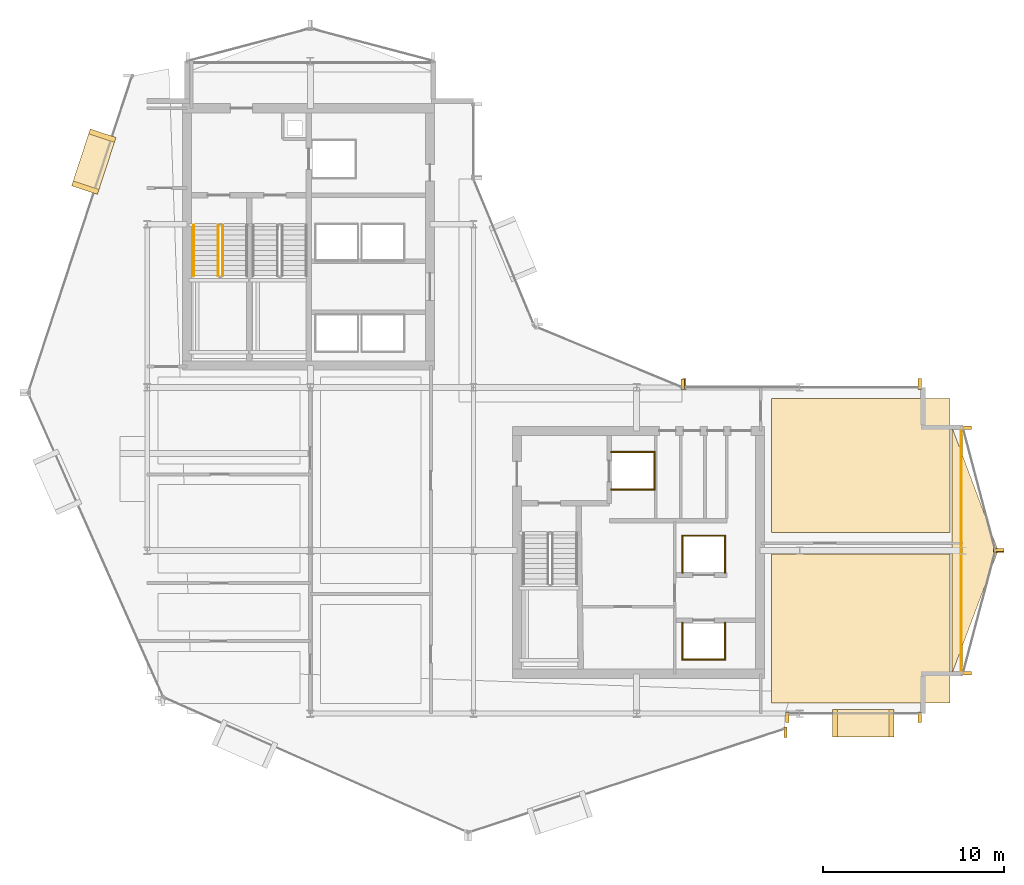
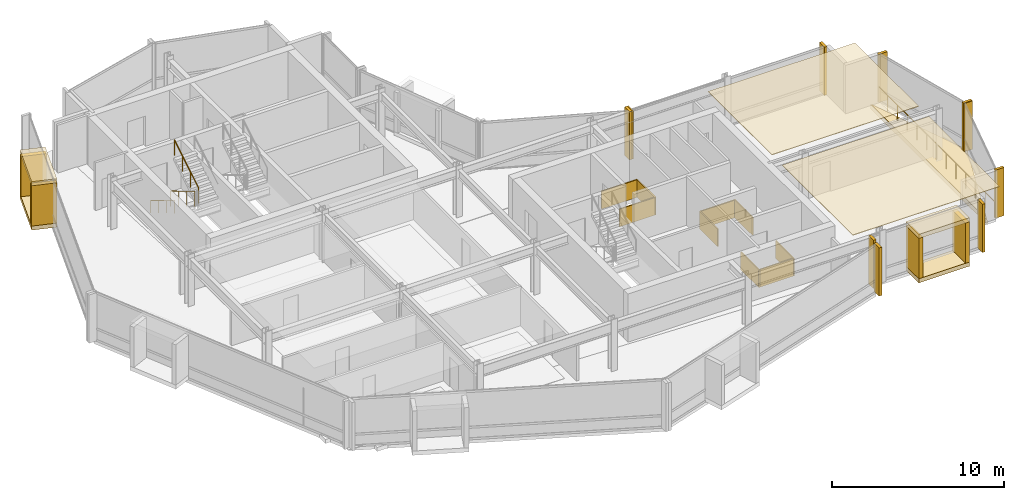
# One storey, part 26 of 27: 30 coverings, 4 railings.
"""IFC4 building model written with IfcOpenShell, lengths in metres."""

from ifc_helpers import new_model, si_unit, direction, frame, origin, origin_2d, place, context, subcontext, project, spatial, polyline, rectangle, circle, outline, extrude, material, layer, layer_set, type_object, element, save


model = new_model("IFC4")

# Units and contexts
model_context = context("Model", 3, precision=1e-05, world=origin(), true_north=direction((0.0, 1.0)))
body_context = subcontext(model_context, "Body", "Model", "MODEL_VIEW")
ifc_project = project(units=[si_unit("LENGTHUNIT", "METRE"), si_unit("AREAUNIT", "SQUARE_METRE"), si_unit("VOLUMEUNIT", "CUBIC_METRE"), si_unit("PLANEANGLEUNIT", "RADIAN"), si_unit("MASSUNIT", "GRAM", prefix="KILO")], contexts=[model_context])

# Site, building, storey
site_placement = place(None, origin())
site = spatial("IfcSite", under=ifc_project, at=site_placement, CompositionType="ELEMENT")
building_placement = place(site_placement, origin())
building = spatial("IfcBuilding", under=site, at=building_placement, Name="Solvaryn Broadcast Tower", CompositionType="ELEMENT")
storey_placement = place(building_placement, frame((0.0, 0.0, 177.89990234375)))
storey = spatial("IfcBuildingStorey", under=building, at=storey_placement, Name="L44", CompositionType="ELEMENT", Elevation=177.89990234375)

# Coverings
ifc_material_1 = material(Name="Micro-Perforated Acoustic Gypsum Ceiling", Category="concrete")
ifc_layer_1 = layer(ifc_material_1, 0.0400390625)
ifc_layer_set_1 = layer_set([ifc_layer_1], Name="CV-CEIL-ACOUSTIC")
covering_type_1 = type_object("IfcCoveringType", Name="CV-CEIL-ACOUSTIC", PredefinedType="CEILING", material=ifc_layer_set_1)
covering_1_placement = place(storey_placement, frame((0.0, 0.0, 3.380126953125)))
element("IfcCovering", 1, at=covering_1_placement, inside=storey, type_object=covering_type_1, Name="L44 Room Acoustic Ceiling 7", PredefinedType="CEILING", context=body_context, shape_type="SweptSolid", body=[
    extrude(outline(polyline([(43.449951171875, 9.60009765625), (53.300048828125, 9.60009765625), (53.300048828125, 17.800048828125), (43.449951171875, 17.800048828125), (43.449951171875, 9.60009765625)])), origin(), (0.0, 0.0, 1.0), 0.0400390625),
])
covering_2_placement = place(storey_placement, frame((0.0, 0.0, 3.380126953125)))
element("IfcCovering", 2, at=covering_2_placement, inside=storey, type_object=covering_type_1, Name="L44 Room Acoustic Ceiling 8", PredefinedType="CEILING", context=body_context, shape_type="SweptSolid", body=[
    extrude(outline(polyline([(43.449951171875, 19.0), (53.300048828125, 19.0), (53.300048828125, 26.39990234375), (43.449951171875, 26.39990234375), (43.449951171875, 19.0)])), origin(), (0.0, 0.0, 1.0), 0.0400390625),
])
ifc_material_2 = material(Name="Fire-Rated Gypsum Shaftwall Liner", Category="concrete")
ifc_layer_2 = layer(ifc_material_2, 0.080078125)
ifc_layer_set_2 = layer_set([ifc_layer_2], Name="CV-SHAFT-LINER")
covering_type_2 = type_object("IfcCoveringType", Name="CV-SHAFT-LINER", PredefinedType="CLADDING", material=ifc_layer_set_2)
for number, where, z_axis, x_axis, name in (
    (3, (35.800048828125, 23.43994140625, 0.0), (0.0, 0.0, 1.0), (1.0, 0.0, 0.0), "L44 FL2 Hoistway Shaft Liner North"),
    (4, (35.800048828125, 21.360107421875, 0.0), (0.0, 0.0, 1.0), (1.0, 0.0, 0.0), "L44 FL2 Hoistway Shaft Liner South"),
):
    element("IfcCovering", number, at=place(storey_placement, frame(where, z_axis=z_axis, x_axis=x_axis)), inside=storey, type_object=covering_type_2, Name=name, PredefinedType="CLADDING", context=body_context, shape_type="SweptSolid", body=[
        extrude(rectangle(XDim=2.4599609375, YDim=0.080078125, at=origin_2d()), origin(), (0.0, 0.0, 1.0), 1.25),
    ])
covering_3_placement = place(storey_placement, frame((36.989990234375, 22.39990234375, 0.0), z_axis=(0.0, 0.0, 1.0), x_axis=(1.0, 0.0, 0.0)))
element("IfcCovering", 5, at=covering_3_placement, inside=storey, type_object=covering_type_2, Name="L44 FL2 Hoistway Shaft Liner East", PredefinedType="CLADDING", context=body_context, shape_type="SweptSolid", body=[
    extrude(rectangle(XDim=0.080078125, YDim=2.159912109375, at=origin_2d()), origin(), (0.0, 0.0, 1.0), 1.25),
])
covering_4_placement = place(storey_placement, frame((39.699951171875, 11.985107421875, 0.0), z_axis=(0.0, 0.0, 1.0), x_axis=(1.0, 0.0, 0.0)))
element("IfcCovering", 6, at=covering_4_placement, inside=storey, type_object=covering_type_2, Name="L44 PM1 Hoistway Shaft Liner South", PredefinedType="CLADDING", context=body_context, shape_type="SweptSolid", body=[
    extrude(rectangle(XDim=2.409912109375, YDim=0.080078125, at=origin_2d()), origin(), (0.0, 0.0, 1.0), 1.25),
])
for number, where, z_axis, x_axis, name in (
    (7, (40.864990234375, 13.0, 0.0), (0.0, 0.0, 1.0), (1.0, 0.0, 0.0), "L44 PM1 Hoistway Shaft Liner East"),
    (8, (38.534912109375, 13.0, 0.0), (0.0, 0.0, 1.0), (1.0, 0.0, 0.0), "L44 PM1 Hoistway Shaft Liner West"),
):
    element("IfcCovering", number, at=place(storey_placement, frame(where, z_axis=z_axis, x_axis=x_axis)), inside=storey, type_object=covering_type_2, Name=name, PredefinedType="CLADDING", context=body_context, shape_type="SweptSolid", body=[
        extrude(rectangle(XDim=0.080078125, YDim=2.110107421875, at=origin_2d()), origin(), (0.0, 0.0, 1.0), 1.25),
    ])
covering_5_placement = place(storey_placement, frame((39.699951171875, 18.81494140625, 0.0), z_axis=(0.0, 0.0, 1.0), x_axis=(1.0, 0.0, 0.0)))
element("IfcCovering", 9, at=covering_5_placement, inside=storey, type_object=covering_type_2, Name="L44 PM2 Hoistway Shaft Liner North", PredefinedType="CLADDING", context=body_context, shape_type="SweptSolid", body=[
    extrude(rectangle(XDim=2.409912109375, YDim=0.080078125, at=origin_2d()), origin(), (0.0, 0.0, 1.0), 1.25),
])
for number, where, z_axis, x_axis, name in (
    (10, (40.864990234375, 17.800048828125, 0.0), (0.0, 0.0, 1.0), (1.0, 0.0, 0.0), "L44 PM2 Hoistway Shaft Liner East"),
    (11, (38.534912109375, 17.800048828125, 0.0), (0.0, 0.0, 1.0), (1.0, 0.0, 0.0), "L44 PM2 Hoistway Shaft Liner West"),
):
    element("IfcCovering", number, at=place(storey_placement, frame(where, z_axis=z_axis, x_axis=x_axis)), inside=storey, type_object=covering_type_2, Name=name, PredefinedType="CLADDING", context=body_context, shape_type="SweptSolid", body=[
        extrude(rectangle(XDim=0.080078125, YDim=2.110107421875, at=origin_2d()), origin(), (0.0, 0.0, 1.0), 1.25),
    ])
ifc_material_3 = material(Name="Glazed Architectural Terracotta Rainscreen Cladding", Category="masonry")
ifc_layer_3 = layer(ifc_material_3, 0.280029296875)
ifc_layer_set_3 = layer_set([ifc_layer_3], Name="CV-TC-CLAD")
covering_type_3 = type_object("IfcCoveringType", Name="CV-TC-CLAD", PredefinedType="CLADDING", material=ifc_layer_set_3)
for number, where, z_axis, x_axis, name in (
    (12, (6.054931640625, 39.4541015625, 3.1298828125), (0.0, 0.0, 1.0), (-0.311505792684, -0.950244253402, 0.0), "L44 Projecting Stone Window Box Hood 1"),
    (13, (6.054931640625, 39.4541015625, -0.009765625), (0.0, 0.0, 1.0), (-0.311505792684, -0.950244253402, 0.0), "L44 Projecting Stone Window Box Sill 1"),
):
    element("IfcCovering", number, at=place(storey_placement, frame(where, z_axis=z_axis, x_axis=x_axis)), inside=storey, type_object=covering_type_3, Name=name, PredefinedType="CLADDING", context=body_context, shape_type="SweptSolid", body=[
        extrude(rectangle(XDim=3.300048828125, YDim=1.5, at=origin_2d()), origin(), (0.0, 0.0, 1.0), 0.300048828125),
    ])
for number, where, z_axis, x_axis, name in (
    (14, (6.525390625, 40.888916015625, 0.2802734375), (0.0, 0.0, 1.0), (-0.311505792684, -0.950244253402, 0.0), "L44 Projecting Stone Window Box Cheek 1-1"),
    (15, (5.584716796875, 38.01904296875, 0.2802734375), (0.0, 0.0, 1.0), (-0.311505792684, -0.950244253402, 0.0), "L44 Projecting Stone Window Box Cheek 1-2"),
):
    element("IfcCovering", number, at=place(storey_placement, frame(where, z_axis=z_axis, x_axis=x_axis)), inside=storey, type_object=covering_type_3, Name=name, PredefinedType="CLADDING", context=body_context, shape_type="SweptSolid", body=[
        extrude(rectangle(XDim=0.280029296875, YDim=1.5, at=origin_2d()), origin(), (0.0, 0.0, 1.0), 2.860107421875),
    ])
for number, where, z_axis, x_axis, name in (
    (16, (48.5, 8.469970703125, 3.1298828125), (0.0, 0.0, 1.0), (1.0, 0.0, 0.0), "L44 Projecting Stone Window Box Hood 6"),
    (17, (48.5, 8.469970703125, -0.009765625), (0.0, 0.0, 1.0), (1.0, 0.0, 0.0), "L44 Projecting Stone Window Box Sill 6"),
):
    element("IfcCovering", number, at=place(storey_placement, frame(where, z_axis=z_axis, x_axis=x_axis)), inside=storey, type_object=covering_type_3, Name=name, PredefinedType="CLADDING", context=body_context, shape_type="SweptSolid", body=[
        extrude(rectangle(XDim=3.39990234375, YDim=1.5, at=origin_2d()), origin(), (0.0, 0.0, 1.0), 0.300048828125),
    ])
for number, where, z_axis, x_axis, name in (
    (18, (46.93994140625, 8.469970703125, 0.2802734375), (0.0, 0.0, 1.0), (1.0, 0.0, 0.0), "L44 Projecting Stone Window Box Cheek 6-1"),
    (19, (50.06005859375, 8.469970703125, 0.2802734375), (0.0, 0.0, 1.0), (1.0, 0.0, 0.0), "L44 Projecting Stone Window Box Cheek 6-2"),
):
    element("IfcCovering", number, at=place(storey_placement, frame(where, z_axis=z_axis, x_axis=x_axis)), inside=storey, type_object=covering_type_3, Name=name, PredefinedType="CLADDING", context=body_context, shape_type="SweptSolid", body=[
        extrude(rectangle(XDim=0.280029296875, YDim=1.5, at=origin_2d()), origin(), (0.0, 0.0, 1.0), 2.860107421875),
    ])
ifc_material_4 = material(Name="Extruded Architectural Terracotta Fin", Category="masonry")
ifc_layer_4 = layer(ifc_material_4, 0.179931640625)
ifc_layer_set_4 = layer_set([ifc_layer_4], Name="CV-TC-FIN")
covering_type_4 = type_object("IfcCoveringType", Name="CV-TC-FIN", PredefinedType="USERDEFINED", material=ifc_layer_set_4)
for number, where, z_axis, x_axis, name in (
    (20, (44.209716796875, 7.982666015625, 0.000244140625), (0.0, 0.0, 1.0), (1.0, 0.0, 0.0), "L44 Terracotta Vertical Fin FIN-L44-DR4-M01"),
    (21, (38.541259765625, 27.177978515625, 0.000244140625), (0.0, 0.0, 1.0), (1.0, 0.0, 0.0), "L44 Terracotta Vertical Fin FIN-L44-CN1-M00"),
    (22, (44.31201171875, 8.8125, 0.000244140625), (0.0, 0.0, 1.0), (1.0, 0.0, 0.0), "L44 Terracotta Vertical Fin FIN-L44-S2-M00"),
    (23, (51.6201171875, 8.8125, 0.000244140625), (0.0, 0.0, 1.0), (1.0, 0.0, 0.0), "L44 Terracotta Vertical Fin FIN-L44-S2-M01"),
):
    element("IfcCovering", number, at=place(storey_placement, frame(where, z_axis=z_axis, x_axis=x_axis)), inside=storey, type_object=covering_type_4, Name=name, ObjectType="FIN", PredefinedType="USERDEFINED", context=body_context, shape_type="SweptSolid", body=[
        extrude(rectangle(XDim=0.179931640625, YDim=0.580078125, at=origin_2d()), origin(), (0.0, 0.0, 1.0), 3.419921875),
    ])
for number, where, z_axis, x_axis, name in (
    (24, (54.1953125, 24.77099609375, 0.000244140625), (0.0, 0.0, 1.0), (1.0, 0.0, 0.0), "L44 Terracotta Vertical Fin FIN-L44-ET1-M00"),
    (25, (55.979736328125, 18.029052734375, 0.000244140625), (0.0, 0.0, 1.0), (1.0, 0.0, 0.0), "L44 Terracotta Vertical Fin FIN-L44-ET1-M01"),
    (26, (55.979736328125, 17.970947265625, 0.000244140625), (0.0, 0.0, 1.0), (1.0, 0.0, 0.0), "L44 Terracotta Vertical Fin FIN-L44-ET2-M00"),
    (27, (54.1953125, 11.22900390625, 0.000244140625), (0.0, 0.0, 1.0), (1.0, 0.0, 0.0), "L44 Terracotta Vertical Fin FIN-L44-ET2-M01"),
):
    element("IfcCovering", number, at=place(storey_placement, frame(where, z_axis=z_axis, x_axis=x_axis)), inside=storey, type_object=covering_type_4, Name=name, ObjectType="FIN", PredefinedType="USERDEFINED", context=body_context, shape_type="SweptSolid", body=[
        extrude(rectangle(XDim=0.580078125, YDim=0.179931640625, at=origin_2d()), origin(), (0.0, 0.0, 1.0), 3.419921875),
    ])
for number, where, z_axis, x_axis, name in (
    (28, (38.6298828125, 27.1875, 0.000244140625), (0.0, 0.0, 1.0), (1.0, 0.0, 0.0), "L44 Terracotta Vertical Fin FIN-L44-IH-M00"),
    (29, (51.6201171875, 27.1875, 0.000244140625), (0.0, 0.0, 1.0), (1.0, 0.0, 0.0), "L44 Terracotta Vertical Fin FIN-L44-IH-M01"),
):
    element("IfcCovering", number, at=place(storey_placement, frame(where, z_axis=z_axis, x_axis=x_axis)), inside=storey, type_object=covering_type_4, Name=name, ObjectType="FIN", PredefinedType="USERDEFINED", context=body_context, shape_type="SweptSolid", body=[
        extrude(rectangle(XDim=0.179931640625, YDim=0.580078125, at=origin_2d()), origin(), (0.0, 0.0, 1.0), 3.419921875),
    ])
ifc_material_5 = material(Name="Sculpted Architectural Terracotta Wave Fascia", Category="masonry")
ifc_layer_5 = layer(ifc_material_5, 0.340087890625)
ifc_layer_set_5 = layer_set([ifc_layer_5], Name="CV-WAVE-TRAY")
covering_type_5 = type_object("IfcCoveringType", Name="CV-WAVE-TRAY", PredefinedType="CLADDING", material=ifc_layer_set_5)
covering_6_placement = place(storey_placement, frame((0.0, 0.0, -0.2998046875)))
element("IfcCovering", 30, at=covering_6_placement, inside=storey, type_object=covering_type_5, Name="L44 East Curved Wing Deck", PredefinedType="CLADDING", context=body_context, shape_type="SweptSolid", body=[
    extrude(outline(polyline([(53.39990234375, 11.199951171875), (55.949951171875, 18.0), (53.39990234375, 24.800048828125), (53.39990234375, 11.199951171875)])), origin(), (0.0, 0.0, 1.0), 0.329833984375),
])

# Railings
ifc_material_6 = material(Name="Painted Steel Stair Well Guard", Category="steel")
railing_type_1 = type_object("IfcRailingType", Name="RL-STAIR-GUARD", PredefinedType="BALUSTRADE", material=ifc_material_6)
railing_1_placement = place(storey_placement, frame((12.909912109375, 35.9599609375, 0.168212890625)))
element("IfcRailing", 31, at=railing_1_placement, inside=storey, type_object=railing_type_1, Name="L44 ST1 stair guard 1", PredefinedType="BALUSTRADE", context=body_context, shape_type="SweptSolid", body=[
    extrude(circle(Radius=0.02392578125, at=origin_2d()), frame((0.0, 0.0, 1.076171875), z_axis=(0.0, -0.857242210791, 0.514913383045), x_axis=(1.0, 0.0, 0.0)), (0.0, 0.0, 1.0), 3.266357421875),
    extrude(circle(Radius=0.02099609375, at=origin_2d()), origin(), (0.0, 0.0, 1.0), 1.052001953125),
    extrude(circle(Radius=0.02099609375, at=origin_2d()), frame((0.0, -0.933349609375, 0.560546875)), (0.0, 0.0, 1.0), 1.052001953125),
    extrude(circle(Radius=0.02099609375, at=origin_2d()), frame((0.0, -1.86669921875, 1.121337890625)), (0.0, 0.0, 1.0), 1.052001953125),
    extrude(circle(Radius=0.02099609375, at=origin_2d()), frame((0.0, -2.800048828125, 1.681884765625)), (0.0, 0.0, 1.0), 1.052001953125),
])
railing_2_placement = place(storey_placement, frame((13.159912109375, 33.159912109375, 2.018310546875)))
element("IfcRailing", 32, at=railing_2_placement, inside=storey, type_object=railing_type_1, Name="L44 ST1 stair guard 3", PredefinedType="BALUSTRADE", context=body_context, shape_type="SweptSolid", body=[
    extrude(circle(Radius=0.02392578125, at=origin_2d()), frame((0.0, 0.0, 1.076171875), z_axis=(0.0, 0.857242210791, 0.514913383045), x_axis=(-1.0, 0.0, 0.0)), (0.0, 0.0, 1.0), 3.266357421875),
    extrude(circle(Radius=0.02099609375, at=origin_2d()), origin(), (0.0, 0.0, 1.0), 1.052001953125),
    extrude(circle(Radius=0.02099609375, at=origin_2d()), frame((0.0, 0.933349609375, 0.560546875)), (0.0, 0.0, 1.0), 1.052001953125),
    extrude(circle(Radius=0.02099609375, at=origin_2d()), frame((0.0, 1.86669921875, 1.121337890625)), (0.0, 0.0, 1.0), 1.052001953125),
    extrude(circle(Radius=0.02099609375, at=origin_2d()), frame((0.0, 2.800048828125, 1.681884765625)), (0.0, 0.0, 1.0), 1.052001953125),
])
ifc_material_7 = material(Name="Brushed Stainless Steel Tubular Handrail", Category="steel")
railing_type_2 = type_object("IfcRailingType", Name="RL-STAIR-HANDRAIL", PredefinedType="HANDRAIL", material=ifc_material_7)
railing_3_placement = place(storey_placement, frame((11.570068359375, 35.9599609375, 0.168212890625)))
element("IfcRailing", 33, at=railing_3_placement, inside=storey, type_object=railing_type_2, Name="L44 ST1 stair handrail 1", PredefinedType="HANDRAIL", context=body_context, shape_type="SweptSolid", body=[
    extrude(circle(Radius=0.02392578125, at=origin_2d()), frame((0.0, 0.0, 0.8759765625), z_axis=(0.0, -0.857242210791, 0.514913383045), x_axis=(1.0, 0.0, 0.0)), (0.0, 0.0, 1.0), 3.266357421875),
    extrude(circle(Radius=0.02099609375, at=origin_2d()), origin(), (0.0, 0.0, 1.0), 0.851806640625),
    extrude(circle(Radius=0.02099609375, at=origin_2d()), frame((0.0, -0.933349609375, 0.560546875)), (0.0, 0.0, 1.0), 0.851806640625),
    extrude(circle(Radius=0.02099609375, at=origin_2d()), frame((0.0, -1.86669921875, 1.121337890625)), (0.0, 0.0, 1.0), 0.851806640625),
    extrude(circle(Radius=0.02099609375, at=origin_2d()), frame((0.0, -2.800048828125, 1.681884765625)), (0.0, 0.0, 1.0), 0.851806640625),
])
ifc_material_8 = material(Name="Stainless Steel and Laminated Glass Guard", Category="steel")
railing_type_3 = type_object("IfcRailingType", Name="RL-TER-1150", PredefinedType="BALUSTRADE", material=ifc_material_8)
railing_4_placement = place(storey_placement, frame((53.919921875, 11.199951171875, 0.0)))
element("IfcRailing", 34, at=railing_4_placement, inside=storey, type_object=railing_type_3, Name="L44 East Wing Spandrel Edge Guard", PredefinedType="BALUSTRADE", context=body_context, shape_type="SweptSolid", body=[
    extrude(circle(Radius=0.02392578125, at=origin_2d()), frame((0.0, 0.0, 1.1259765625), z_axis=(0.0, 1.0, 0.0), x_axis=(-1.0, 0.0, 0.0)), (0.0, 0.0, 1.0), 13.60009765625),
    extrude(circle(Radius=0.02099609375, at=origin_2d()), origin(), (0.0, 0.0, 1.0), 1.101806640625),
    extrude(circle(Radius=0.02099609375, at=origin_2d()), frame((0.0, 1.13330078125, 0.0)), (0.0, 0.0, 1.0), 1.101806640625),
    extrude(circle(Radius=0.02099609375, at=origin_2d()), frame((0.0, 2.2666015625, 0.0)), (0.0, 0.0, 1.0), 1.101806640625),
    extrude(circle(Radius=0.02099609375, at=origin_2d()), frame((0.0, 3.39990234375, 0.0)), (0.0, 0.0, 1.0), 1.101806640625),
    extrude(circle(Radius=0.02099609375, at=origin_2d()), frame((0.0, 4.533447265625, 0.0)), (0.0, 0.0, 1.0), 1.101806640625),
    extrude(circle(Radius=0.02099609375, at=origin_2d()), frame((0.0, 5.666748046875, 0.0)), (0.0, 0.0, 1.0), 1.101806640625),
    extrude(circle(Radius=0.02099609375, at=origin_2d()), frame((0.0, 6.800048828125, 0.0)), (0.0, 0.0, 1.0), 1.101806640625),
    extrude(circle(Radius=0.02099609375, at=origin_2d()), frame((0.0, 7.933349609375, 0.0)), (0.0, 0.0, 1.0), 1.101806640625),
    extrude(circle(Radius=0.02099609375, at=origin_2d()), frame((0.0, 9.066650390625, 0.0)), (0.0, 0.0, 1.0), 1.101806640625),
    extrude(circle(Radius=0.02099609375, at=origin_2d()), frame((0.0, 10.2001953125, 0.0)), (0.0, 0.0, 1.0), 1.101806640625),
    extrude(circle(Radius=0.02099609375, at=origin_2d()), frame((0.0, 11.33349609375, 0.0)), (0.0, 0.0, 1.0), 1.101806640625),
    extrude(circle(Radius=0.02099609375, at=origin_2d()), frame((0.0, 12.466796875, 0.0)), (0.0, 0.0, 1.0), 1.101806640625),
    extrude(circle(Radius=0.02099609375, at=origin_2d()), frame((0.0, 13.60009765625, 0.0)), (0.0, 0.0, 1.0), 1.101806640625),
])

save(model, "model.ifc")
